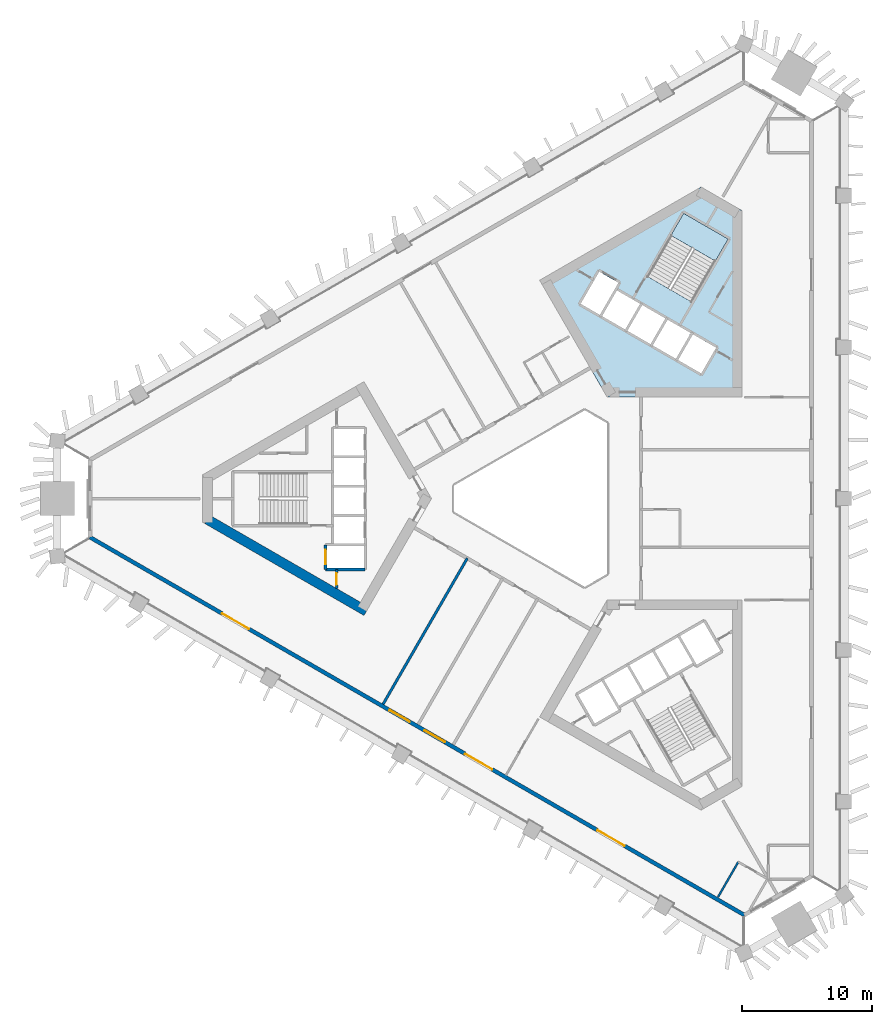
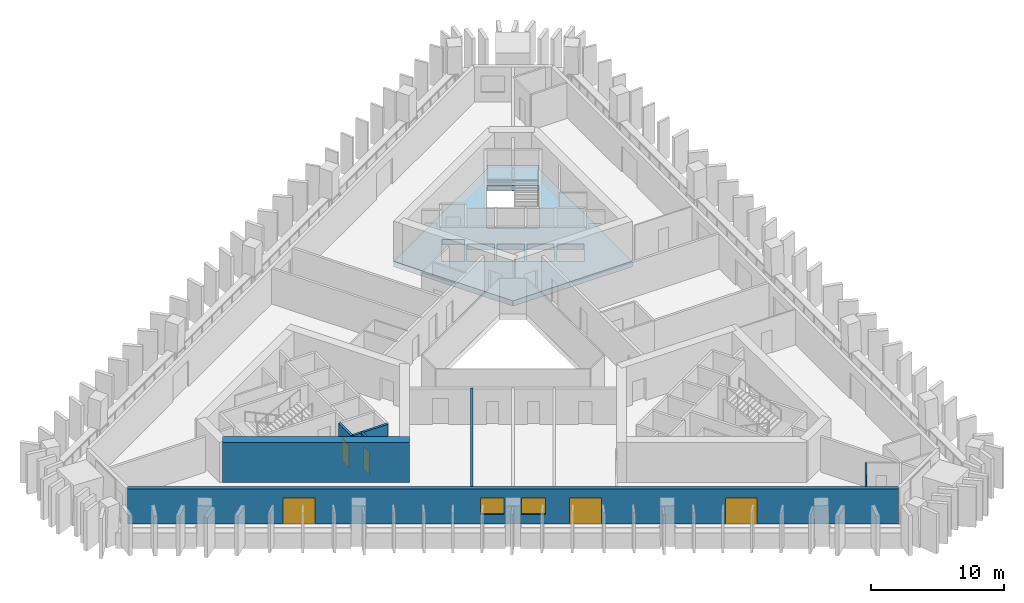
# One storey, part 2 of 9: 7 walls, 5 doors, 2 slabs, 2 windows, 7 openings, 1 element without a shape of its own.
"""IFC4 building model written with IfcOpenShell, lengths in metres."""

from ifc_helpers import new_model, si_unit, direction, frame, frame_2d, origin, place, context, subcontext, project, spatial, polyline, rectangle, outline, extrude, material, layer, layer_set, type_object, element, fill, aggregate, save


model = new_model("IFC4")

# Units and contexts
model_context = context("Model", 3, precision=1e-05, world=origin(), true_north=direction((0.0, 1.0)))
body_context = subcontext(model_context, "Body", "Model", "MODEL_VIEW")
ifc_project = project(units=[si_unit("LENGTHUNIT", "METRE"), si_unit("AREAUNIT", "SQUARE_METRE"), si_unit("VOLUMEUNIT", "CUBIC_METRE"), si_unit("PLANEANGLEUNIT", "RADIAN"), si_unit("MASSUNIT", "GRAM", prefix="KILO")], contexts=[model_context])

# Site, building, storey
site_placement = place(None, origin())
site = spatial("IfcSite", under=ifc_project, at=site_placement, CompositionType="ELEMENT")
building_placement = place(site_placement, origin())
building = spatial("IfcBuilding", under=site, at=building_placement, Name="Jabali Bay Hotel Tower and Convention Centre", CompositionType="ELEMENT")
storey_placement = place(building_placement, frame((0.0, 0.0, 94.300048828125)))
storey = spatial("IfcBuildingStorey", under=building, at=storey_placement, Name="L22", CompositionType="ELEMENT", Elevation=94.300048828125)

# Slab
ifc_material_1 = material(Name="Concrete C40", Category="concrete")
ifc_layer_1 = layer(ifc_material_1, 0.5)
ifc_layer_set_1 = layer_set([ifc_layer_1], Name="Concrete C40")
slab_type_1 = type_object("IfcSlabType", Name="Core floor slab 500", PredefinedType="FLOOR", material=ifc_layer_set_1)
slab_1_placement = place(storey_placement, frame((0.0, 0.0, -0.5)))
element("IfcSlab", 1, at=slab_1_placement, inside=storey, type_object=slab_type_1, Name="Core floor slab 2 L22", PredefinedType="FLOOR", context=body_context, shape_type="SweptSolid", body=[
    extrude(outline(polyline([(79.5, 87.794189453125), (89.8798828125, 87.794189453125), (89.8798828125, 102.127685546875), (86.72314453125, 103.9501953125), (74.31005859375, 96.78369140625), (79.5, 87.794189453125)]), holes=[polyline([(84.957763671875, 90.6474609375), (86.733154296875, 89.62255859375), (87.873291015625, 91.59716796875), (86.097900390625, 92.6220703125), (84.957763671875, 90.6474609375)]), polyline([(84.1494140625, 93.7470703125), (83.00927734375, 91.7724609375), (84.78466796875, 90.74755859375), (85.924560546875, 92.72216796875), (84.1494140625, 93.7470703125)]), polyline([(82.20068359375, 94.8720703125), (81.060791015625, 92.8974609375), (82.836181640625, 91.87255859375), (83.97607421875, 93.84716796875), (82.20068359375, 94.8720703125)]), polyline([(79.1123046875, 94.0224609375), (80.887451171875, 92.99755859375), (82.027587890625, 94.97216796875), (80.252197265625, 95.9970703125), (79.1123046875, 94.0224609375)]), polyline([(78.891845703125, 97.440673828125), (77.466796875, 94.97265625), (78.93896484375, 94.12255859375), (80.364013671875, 96.5908203125), (78.891845703125, 97.440673828125)]), polyline([(82.584716796875, 97.0869140625), (86.00537109375, 95.11181640625), (88.80029296875, 99.952880859375), (85.379638671875, 101.927978515625), (82.584716796875, 97.0869140625)])]), origin(), (0.0, 0.0, 1.0), 0.5),
])

# Stair, slab
stair_type = type_object("IfcStairType", Name="Exit stair 1900", PredefinedType="HALF_TURN_STAIR", material=ifc_material_1)
stair_placement = place(storey_placement, origin())
stair = element("IfcStair", 2, at=stair_placement, inside=storey, type_object=stair_type, Name="L22 Exit Stair 2", PredefinedType="HALF_TURN_STAIR")
ifc_layer_2 = layer(ifc_material_1, 0.199951171875)
ifc_layer_set_2 = layer_set([ifc_layer_2], Name="Concrete C40")
slab_type_2 = type_object("IfcSlabType", Name="Stair landing 200", PredefinedType="LANDING", material=ifc_layer_set_2)
slab_2_placement = place(storey_placement, frame((0.0, 0.0, 1.64990234375)))
slab_2 = element("IfcSlab", 3, at=slab_2_placement, type_object=slab_type_2, Name="ST2 landing 1", PredefinedType="LANDING", context=body_context, shape_type="SweptSolid", body=[
    extrude(outline(polyline([(87.81884765625, 98.2529296875), (88.80029296875, 99.952880859375), (85.379638671875, 101.927978515625), (84.398193359375, 100.22802734375), (87.81884765625, 98.2529296875)])), origin(), (0.0, 0.0, 1.0), 0.199951171875),
])
aggregate(stair, [slab_2])

# Wall, opening, door
ifc_layer_3 = layer(ifc_material_1, 0.199951171875)
ifc_layer_set_3 = layer_set([ifc_layer_3], Name="Concrete C40")
wall_type_1 = type_object("IfcWallType", Name="Core partition wall 200", PredefinedType="PARTITIONING", material=ifc_layer_set_3)
wall_1_placement = place(storey_placement, frame((58.699951171875, 74.550048828125, 0.0), z_axis=(0.0, 0.0, 1.0), x_axis=(0.0, -1.0, 0.0)))
wall_1 = element("IfcWall", 4, at=wall_1_placement, inside=storey, type_object=wall_type_1, Name="Core wall 0.12 L22", PredefinedType="PARTITIONING", context=body_context, shape_type="SweptSolid", body=[
    extrude(rectangle(XDim=1.455078125, YDim=0.199951171875, at=frame_2d((0.7275390625, 0.0))), origin(), (0.0, 0.0, 1.0), 3.25),
])
opening_1_placement = place(wall_1_placement, frame((0.277587890625, 0.0, 0.0)))
opening_1 = element("IfcOpeningElement", 5, at=opening_1_placement, cuts=wall_1, Name="Opening D512", PredefinedType="OPENING", context=body_context, shape_type="SweptSolid", body=[
    extrude(rectangle(XDim=0.89990234375, YDim=2.10009765625, at=frame_2d((0.449951171875, 1.050048828125))), frame((0.0, 0.1103515625, 0.0), z_axis=(0.0, -1.0, 0.0), x_axis=(1.0, 0.0, 0.0)), (0.0, 0.0, 1.0), 0.220947265625),
])
ifc_material_2 = material(Name="Fire-rated steel door", Category="steel")
door_type_1 = type_object("IfcDoorType", Name="Vestibule fire door 900 x 2100", OperationType="NOTDEFINED", PredefinedType="NOTDEFINED", material=ifc_material_2)
door_1_placement = place(opening_1_placement, origin())
door_1 = element("IfcDoor", 6, at=door_1_placement, inside=storey, type_object=door_type_1, Name="Vestibule fire door D512", OperationType="SINGLE_SWING_LEFT", OverallHeight=2.10009765625, OverallWidth=0.89990234375, PredefinedType="NOTDEFINED", context=body_context, shape_type="SweptSolid", body=[
    extrude(rectangle(XDim=0.89990234375, YDim=2.10009765625, at=frame_2d((0.449951171875, 1.050048828125))), frame((0.0, 0.02490234375, 0.0), z_axis=(0.0, -1.0, 0.0), x_axis=(1.0, 0.0, 0.0)), (0.0, 0.0, 1.0), 0.050048828125),
])
fill(opening_1, door_1)

# Wall
ifc_layer_4 = layer(ifc_material_1, 0.199951171875)
ifc_layer_set_4 = layer_set([ifc_layer_4], Name="Concrete C40")
wall_type_2 = type_object("IfcWallType", Name="Core stair wall 200", PredefinedType="SOLIDWALL", material=ifc_layer_set_4)
wall_2_placement = place(storey_placement, frame((60.89990234375, 74.550048828125, 0.0), z_axis=(0.0, 0.0, 1.0), x_axis=(-1.0, 0.0, 0.0)))
element("IfcWall", 7, at=wall_2_placement, inside=storey, type_object=wall_type_2, Name="Core wall 0.9 L22", PredefinedType="SOLIDWALL", context=body_context, shape_type="SweptSolid", body=[
    extrude(rectangle(XDim=3.0498046875, YDim=0.199951171875, at=frame_2d((1.52490234375, 0.0))), origin(), (0.0, 0.0, 1.0), 3.25),
])

# Wall, opening, door
wall_3_placement = place(storey_placement, frame((57.85009765625, 76.449951171875, 0.0), z_axis=(0.0, 0.0, 1.0), x_axis=(0.0, -1.0, 0.0)))
wall_3 = element("IfcWall", 8, at=wall_3_placement, inside=storey, type_object=wall_type_2, Name="Core wall 0.14 L22", PredefinedType="SOLIDWALL", context=body_context, shape_type="SweptSolid", body=[
    extrude(rectangle(XDim=1.89990234375, YDim=0.199951171875, at=frame_2d((0.949951171875, 0.0))), origin(), (0.0, 0.0, 1.0), 3.25),
])
opening_2_placement = place(wall_3_placement, frame((0.39990234375, 0.0, 0.0)))
opening_2 = element("IfcOpeningElement", 9, at=opening_2_placement, cuts=wall_3, Name="Opening LD5-L22", PredefinedType="OPENING", context=body_context, shape_type="SweptSolid", body=[
    extrude(rectangle(XDim=1.10009765625, YDim=2.10009765625, at=frame_2d((0.550048828125, 1.050048828125))), frame((0.0, 0.1103515625, 0.0), z_axis=(0.0, -1.0, 0.0), x_axis=(1.0, 0.0, 0.0)), (0.0, 0.0, 1.0), 0.220947265625),
])
ifc_material_3 = material(Name="Stainless steel landing door", Category="steel")
door_type_2 = type_object("IfcDoorType", Name="Landing door 1100 x 2100", OperationType="NOTDEFINED", PredefinedType="NOTDEFINED", material=ifc_material_3)
door_2_placement = place(opening_2_placement, origin())
door_2 = element("IfcDoor", 10, at=door_2_placement, inside=storey, type_object=door_type_2, Name="Landing doors LD5-L22", OperationType="SLIDING_TO_RIGHT", OverallHeight=2.10009765625, OverallWidth=1.10009765625, PredefinedType="NOTDEFINED", context=body_context, shape_type="SweptSolid", body=[
    extrude(rectangle(XDim=1.10009765625, YDim=2.10009765625, at=frame_2d((0.550048828125, 1.050048828125))), frame((0.0, 0.02490234375, 0.0), z_axis=(0.0, -1.0, 0.0), x_axis=(1.0, 0.0, 0.0)), (0.0, 0.0, 1.0), 0.050048828125),
])
fill(opening_2, door_2)

# Wall
ifc_material_4 = material(Name="Concrete C60", Category="concrete")
ifc_layer_5 = layer(ifc_material_4, 0.75)
ifc_layer_set_5 = layer_set([ifc_layer_5], Name="Concrete C60")
wall_type_3 = type_object("IfcWallType", Name="Core wall 750", PredefinedType="SHEAR", material=ifc_layer_set_5)
wall_4_placement = place(storey_placement, frame((48.77197265625, 78.393798828125, 0.0), z_axis=(0.0, 0.0, 1.0), x_axis=(0.866028339916, -0.499994914436, 0.0)))
element("IfcWall", 11, at=wall_4_placement, inside=storey, type_object=wall_type_3, Name="Core wall 1.4 L22", PredefinedType="SHEAR", context=body_context, shape_type="SweptSolid", body=[
    extrude(rectangle(XDim=14.116943359375, YDim=0.75, at=frame_2d((7.05859375, 0.0))), origin(), (0.0, 0.0, 1.0), 3.699951171875),
])

# Wall, openings, doors, windows
ifc_layer_6 = layer(ifc_material_1, 0.300048828125)
ifc_layer_set_6 = layer_set([ifc_layer_6], Name="Concrete C40")
wall_type_4 = type_object("IfcWallType", Name="External wall 300", PredefinedType="SOLIDWALL", material=ifc_layer_set_6)
wall_5_placement = place(storey_placement, frame((90.053955078125, 47.9814453125, 0.0), z_axis=(0.0, 0.0, 1.0), x_axis=(-0.866025390357, 0.500000023256, 0.0)))
wall_5 = element("IfcWall", 12, at=wall_5_placement, inside=storey, type_object=wall_type_4, Name="External wall south-west face L22", PredefinedType="SOLIDWALL", context=body_context, shape_type="SweptSolid", body=[
    extrude(rectangle(XDim=58.0927734375, YDim=0.300048828125, at=frame_2d((29.04638671875, 0.0))), origin(), (0.0, 0.0, 1.0), 3.25),
])
opening_3_placement = place(wall_5_placement, frame((43.9716796875, 0.0, 0.0)))
opening_3 = element("IfcOpeningElement", 13, at=opening_3_placement, cuts=wall_5, Name="Opening SD1", PredefinedType="OPENING", context=body_context, shape_type="SweptSolid", body=[
    extrude(rectangle(XDim=2.39990234375, YDim=2.39990234375, at=frame_2d((1.199951171875, 1.199951171875))), frame((0.0, 0.16064453125, 0.0), z_axis=(0.0, -1.0, 0.0), x_axis=(1.0, 0.0, 0.0)), (0.0, 0.0, 1.0), 0.321044921875),
])
opening_4_placement = place(wall_5_placement, frame((22.390380859375, 0.0, 0.0)))
opening_4 = element("IfcOpeningElement", 14, at=opening_4_placement, cuts=wall_5, Name="Opening SD1", PredefinedType="OPENING", context=body_context, shape_type="SweptSolid", body=[
    extrude(rectangle(XDim=2.39990234375, YDim=2.39990234375, at=frame_2d((1.199951171875, 1.199951171875))), frame((0.0, 0.16064453125, 0.0), z_axis=(0.0, -1.0, 0.0), x_axis=(1.0, 0.0, 0.0)), (0.0, 0.0, 1.0), 0.321044921875),
])
opening_5_placement = place(wall_5_placement, frame((10.64306640625, 0.0, 0.0)))
opening_5 = element("IfcOpeningElement", 15, at=opening_5_placement, cuts=wall_5, Name="Opening SD1", PredefinedType="OPENING", context=body_context, shape_type="SweptSolid", body=[
    extrude(rectangle(XDim=2.39990234375, YDim=2.39990234375, at=frame_2d((1.199951171875, 1.199951171875))), frame((0.0, 0.16064453125, 0.0), z_axis=(0.0, -1.0, 0.0), x_axis=(1.0, 0.0, 0.0)), (0.0, 0.0, 1.0), 0.321044921875),
])
opening_6_placement = place(wall_5_placement, frame((29.705078125, 0.0, 0.89990234375)))
opening_6 = element("IfcOpeningElement", 16, at=opening_6_placement, cuts=wall_5, Name="Opening W1", PredefinedType="OPENING", context=body_context, shape_type="SweptSolid", body=[
    extrude(rectangle(XDim=1.800048828125, YDim=1.5, at=frame_2d((0.89990234375, 0.75))), frame((0.0, 0.16064453125, 0.0), z_axis=(0.0, -1.0, 0.0), x_axis=(1.0, 0.0, 0.0)), (0.0, 0.0, 1.0), 0.321044921875),
])
opening_7_placement = place(wall_5_placement, frame((26.58740234375, 0.0, 0.89990234375)))
opening_7 = element("IfcOpeningElement", 17, at=opening_7_placement, cuts=wall_5, Name="Opening W1", PredefinedType="OPENING", context=body_context, shape_type="SweptSolid", body=[
    extrude(rectangle(XDim=1.800048828125, YDim=1.5, at=frame_2d((0.89990234375, 0.75))), frame((0.0, 0.16064453125, 0.0), z_axis=(0.0, -1.0, 0.0), x_axis=(1.0, 0.0, 0.0)), (0.0, 0.0, 1.0), 0.321044921875),
])
ifc_material_5 = material(Name="Glass", Category="glass")
door_type_3 = type_object("IfcDoorType", Name="Loggia sliding door 2400 x 2400", OperationType="NOTDEFINED", PredefinedType="NOTDEFINED", material=ifc_material_5)
door_3_placement = place(opening_3_placement, origin())
door_3 = element("IfcDoor", 18, at=door_3_placement, inside=storey, type_object=door_type_3, Name="Loggia sliding door 2206", OperationType="SLIDING_TO_LEFT", OverallHeight=2.39990234375, OverallWidth=2.39990234375, PredefinedType="NOTDEFINED", context=body_context, shape_type="SweptSolid", body=[
    extrude(rectangle(XDim=2.39990234375, YDim=2.39990234375, at=frame_2d((1.199951171875, 1.199951171875))), frame((0.0, 0.02490234375, 0.0), z_axis=(0.0, -1.0, 0.0), x_axis=(1.0, 0.0, 0.0)), (0.0, 0.0, 1.0), 0.050048828125),
])
fill(opening_3, door_3)
door_4_placement = place(opening_4_placement, origin())
door_4 = element("IfcDoor", 19, at=door_4_placement, inside=storey, type_object=door_type_3, Name="Loggia sliding door 2209", OperationType="SLIDING_TO_RIGHT", OverallHeight=2.39990234375, OverallWidth=2.39990234375, PredefinedType="NOTDEFINED", context=body_context, shape_type="SweptSolid", body=[
    extrude(rectangle(XDim=2.39990234375, YDim=2.39990234375, at=frame_2d((1.199951171875, 1.199951171875))), frame((0.0, 0.02490234375, 0.0), z_axis=(0.0, -1.0, 0.0), x_axis=(1.0, 0.0, 0.0)), (0.0, 0.0, 1.0), 0.050048828125),
])
fill(opening_4, door_4)
door_5_placement = place(opening_5_placement, origin())
door_5 = element("IfcDoor", 20, at=door_5_placement, inside=storey, type_object=door_type_3, Name="Loggia sliding door 2209", OperationType="SLIDING_TO_LEFT", OverallHeight=2.39990234375, OverallWidth=2.39990234375, PredefinedType="NOTDEFINED", context=body_context, shape_type="SweptSolid", body=[
    extrude(rectangle(XDim=2.39990234375, YDim=2.39990234375, at=frame_2d((1.199951171875, 1.199951171875))), frame((0.0, 0.02490234375, 0.0), z_axis=(0.0, -1.0, 0.0), x_axis=(1.0, 0.0, 0.0)), (0.0, 0.0, 1.0), 0.050048828125),
])
fill(opening_5, door_5)
window_type = type_object("IfcWindowType", Name="Window 1800 x 1500", PartitioningType="SINGLE_PANEL", PredefinedType="WINDOW", material=ifc_material_5)
window_1_placement = place(opening_6_placement, origin())
window_1 = element("IfcWindow", 21, at=window_1_placement, inside=storey, type_object=window_type, Name="Window 2207", OverallHeight=1.5, OverallWidth=1.800048828125, PartitioningType="SINGLE_PANEL", PredefinedType="WINDOW", context=body_context, shape_type="SweptSolid", body=[
    extrude(rectangle(XDim=1.800048828125, YDim=1.5, at=frame_2d((0.89990234375, 0.75))), frame((0.0, 0.030029296875, 0.0), z_axis=(0.0, -1.0, 0.0), x_axis=(1.0, 0.0, 0.0)), (0.0, 0.0, 1.0), 0.06005859375),
])
fill(opening_6, window_1)
window_2_placement = place(opening_7_placement, origin())
window_2 = element("IfcWindow", 22, at=window_2_placement, inside=storey, type_object=window_type, Name="Window 2208", OverallHeight=1.5, OverallWidth=1.800048828125, PartitioningType="SINGLE_PANEL", PredefinedType="WINDOW", context=body_context, shape_type="SweptSolid", body=[
    extrude(rectangle(XDim=1.800048828125, YDim=1.5, at=frame_2d((0.89990234375, 0.75))), frame((0.0, 0.030029296875, 0.0), z_axis=(0.0, -1.0, 0.0), x_axis=(1.0, 0.0, 0.0)), (0.0, 0.0, 1.0), 0.06005859375),
])
fill(opening_7, window_2)

# Walls
ifc_material_6 = material(Name="Plasterboard on steel stud", Category="steel")
ifc_layer_7 = layer(ifc_material_6, 0.14990234375)
ifc_layer_set_7 = layer_set([ifc_layer_7], Name="Plasterboard on steel stud")
wall_type_5 = type_object("IfcWallType", Name="Partition 150 wet", PredefinedType="PARTITIONING", material=ifc_layer_set_7)
wall_6_placement = place(storey_placement, frame((88.025390625, 49.3720703125, 0.0), z_axis=(0.0, 0.0, 1.0), x_axis=(0.500005562063, 0.866022192502, 0.0)))
element("IfcWall", 23, at=wall_6_placement, inside=storey, type_object=wall_type_5, Name="Partition P03 L22 031", PredefinedType="PARTITIONING", context=body_context, shape_type="SweptSolid", body=[
    extrude(rectangle(XDim=3.1103515625, YDim=0.14990234375, at=frame_2d((1.55517578125, 0.0))), origin(), (0.0, 0.0, 1.0), 3.25),
])
ifc_layer_8 = layer(ifc_material_6, 0.199951171875)
ifc_layer_set_8 = layer_set([ifc_layer_8], Name="Plasterboard on steel stud")
wall_type_6 = type_object("IfcWallType", Name="Partition 200 party", PredefinedType="PARTITIONING", material=ifc_layer_set_8)
wall_7_placement = place(storey_placement, frame((62.273681640625, 64.192626953125, 0.0), z_axis=(0.0, 0.0, 1.0), x_axis=(0.499992750609, 0.866029589182, 0.0)))
element("IfcWall", 24, at=wall_7_placement, inside=storey, type_object=wall_type_6, Name="Partition P01 L22 027", PredefinedType="PARTITIONING", context=body_context, shape_type="SweptSolid", body=[
    extrude(rectangle(XDim=12.952880859375, YDim=0.199951171875, at=frame_2d((6.4765625, 0.0))), origin(), (0.0, 0.0, 1.0), 3.25),
])

save(model, "model.ifc")
